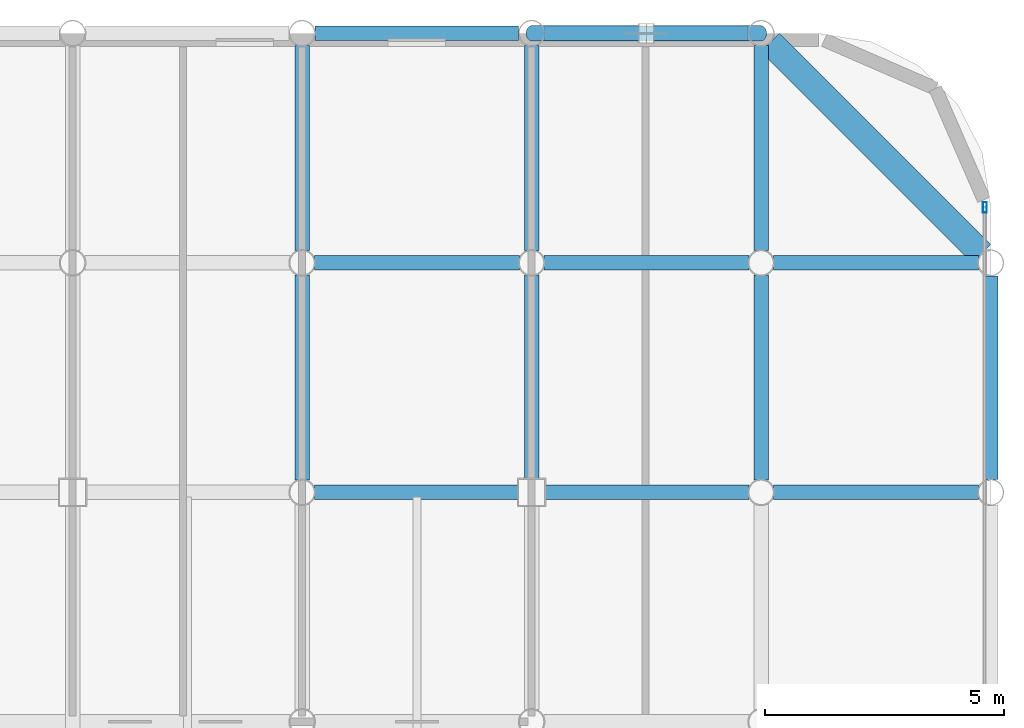
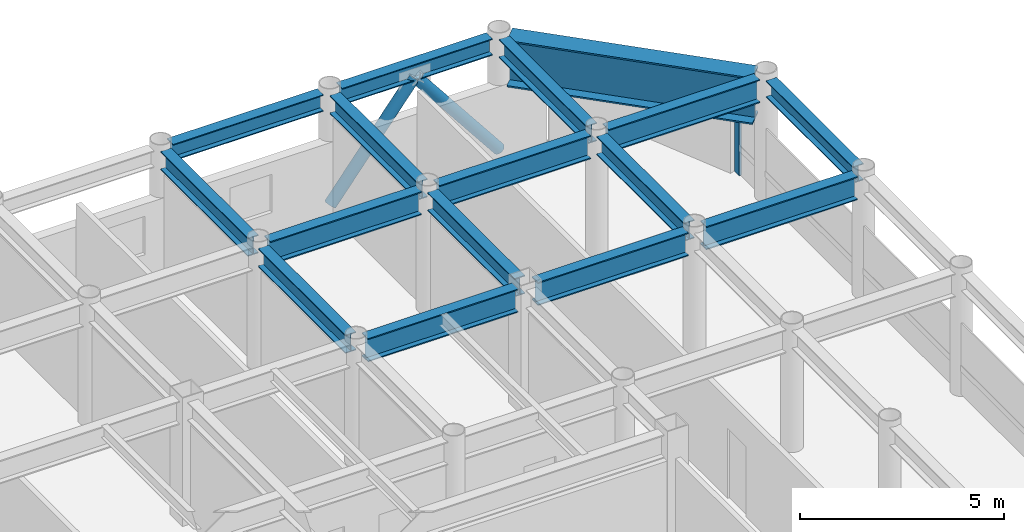
# One storey, part 16 of 22: 16 beams, 3 members, 1 element without a shape of its own.
"""IFC4 building model written with IfcOpenShell, lengths in metres."""

from ifc_helpers import new_model, si_unit, direction, frame, origin, origin_2d, place, context, subcontext, project, spatial, hollow_rectangle, hollow_circle, i_section, extrude, material, layer, layer_set, material_profile, profile_set, type_object, element, aggregate, save


model = new_model("IFC4")

# Units and contexts
model_context = context("Model", 3, precision=1e-05, world=origin(), true_north=direction((0.0, 1.0)))
body_context = subcontext(model_context, "Body", "Model", "MODEL_VIEW")
ifc_project = project(units=[si_unit("LENGTHUNIT", "METRE"), si_unit("AREAUNIT", "SQUARE_METRE"), si_unit("VOLUMEUNIT", "CUBIC_METRE"), si_unit("PLANEANGLEUNIT", "RADIAN"), si_unit("MASSUNIT", "GRAM", prefix="KILO")], contexts=[model_context])

# Site, building, storey
site_placement = place(None, origin())
site = spatial("IfcSite", under=ifc_project, at=site_placement, CompositionType="ELEMENT")
building_placement = place(site_placement, origin())
building = spatial("IfcBuilding", under=site, at=building_placement, Name="Kallvorn Hotel Tower", CompositionType="ELEMENT")
storey_placement = place(building_placement, frame((0.0, 0.0, 241.550048828125)))
storey = spatial("IfcBuildingStorey", under=building, at=storey_placement, Name="L60", CompositionType="ELEMENT", Elevation=241.550048828125)

# Beams
ifc_material_1 = material(Name="Structural steel S355JR", Category="steel")
ifc_material_profile_1 = material_profile(ifc_material_1, i_section(OverallWidth=0.300048828125, OverallDepth=0.5, WebThickness=0.014404296875, FlangeThickness=0.028076171875, at=origin_2d()), Name="HE 500 B")
ifc_profile_set_1 = profile_set([ifc_material_profile_1], Name="Structural steel S355JR")
beam_type_1 = type_object("IfcBeamType", Name="BM_HE500B", PredefinedType="SPANDREL", material=ifc_profile_set_1)
for number, where, z_axis, x_axis, name in (
    (1, (19.469482421875, 24.0, 3.419921875), (1.0, 0.0, 0.0), (0.0, 1.0, 0.0), "L61 Perimeter Spandrel 172"),
    (2, (24.26953125, 24.0, 3.419921875), (1.0, 0.0, 0.0), (0.0, 1.0, 0.0), "L61 Perimeter Spandrel 173"),
    (3, (33.60009765625, 14.66943359375, 3.419921875), (0.0, 1.0, 0.0), (-1.0, 0.0, 0.0), "L61 Perimeter Spandrel 188"),
):
    element("IfcBeam", number, at=place(storey_placement, frame(where, z_axis=z_axis, x_axis=x_axis)), inside=storey, type_object=beam_type_1, Name=name, PredefinedType="SPANDREL", context=body_context, shape_type="SweptSolid", body=[
        extrude(i_section(OverallWidth=0.300048828125, OverallDepth=0.5, WebThickness=0.014404296875, FlangeThickness=0.028076171875, at=origin_2d()), origin(), (0.0, 0.0, 1.0), 4.260986328125),
    ])
ifc_material_2 = material(Name="Structural steel S355JR", Category="steel")
ifc_material_profile_2 = material_profile(ifc_material_2, i_section(OverallWidth=0.300048828125, OverallDepth=0.550048828125, WebThickness=0.014892578125, FlangeThickness=0.029052734375, at=origin_2d()), Name="HE 550 B")
ifc_profile_set_2 = profile_set([ifc_material_profile_2], Name="Structural steel S355JR")
beam_type_2 = type_object("IfcBeamType", Name="BM_HE550B", PredefinedType="SPANDREL", material=ifc_profile_set_2)
for number, where, z_axis, x_axis, name in (
    (4, (19.199951171875, 14.654541015625, 3.39501953125), (0.0, 1.0, 0.0), (-1.0, 0.0, 0.0), "L61 Primary Y-Girder 133"),
    (5, (19.199951171875, 19.45458984375, 3.39501953125), (0.0, 1.0, 0.0), (-1.0, 0.0, 0.0), "L61 Primary Y-Girder 134"),
):
    element("IfcBeam", number, at=place(storey_placement, frame(where, z_axis=z_axis, x_axis=x_axis)), inside=storey, type_object=beam_type_2, Name=name, PredefinedType="SPANDREL", context=body_context, shape_type="SweptSolid", body=[
        extrude(i_section(OverallWidth=0.300048828125, OverallDepth=0.550048828125, WebThickness=0.014892578125, FlangeThickness=0.029052734375, at=origin_2d()), origin(), (0.0, 0.0, 1.0), 4.291015625),
    ])
beam_1_placement = place(storey_placement, frame((24.0, 14.675048828125, 3.39501953125), z_axis=(0.0, 1.0, 0.0), x_axis=(-1.0, 0.0, 0.0)))
element("IfcBeam", 6, at=beam_1_placement, inside=storey, type_object=beam_type_2, Name="L61 Primary Y-Girder 140", PredefinedType="SPANDREL", context=body_context, shape_type="SweptSolid", body=[
    extrude(i_section(OverallWidth=0.300048828125, OverallDepth=0.550048828125, WebThickness=0.014892578125, FlangeThickness=0.029052734375, at=origin_2d()), origin(), (0.0, 0.0, 1.0), 4.2705078125),
])
for number, where, z_axis, x_axis, name in (
    (7, (24.0, 19.45458984375, 3.39501953125), (0.0, 1.0, 0.0), (-1.0, 0.0, 0.0), "L61 Primary Y-Girder 141"),
    (8, (28.800048828125, 14.654541015625, 3.39501953125), (0.0, 1.0, 0.0), (-1.0, 0.0, 0.0), "L61 Primary Y-Girder 149"),
    (9, (28.800048828125, 19.45458984375, 3.39501953125), (0.0, 1.0, 0.0), (-1.0, 0.0, 0.0), "L61 Primary Y-Girder 150"),
):
    element("IfcBeam", number, at=place(storey_placement, frame(where, z_axis=z_axis, x_axis=x_axis)), inside=storey, type_object=beam_type_2, Name=name, PredefinedType="SPANDREL", context=body_context, shape_type="SweptSolid", body=[
        extrude(i_section(OverallWidth=0.300048828125, OverallDepth=0.550048828125, WebThickness=0.014892578125, FlangeThickness=0.029052734375, at=origin_2d()), origin(), (0.0, 0.0, 1.0), 4.291015625),
    ])
ifc_material_3 = material(Name="Structural steel S355JR", Category="steel")
ifc_material_profile_3 = material_profile(ifc_material_3, i_section(OverallWidth=0.300048828125, OverallDepth=0.699951171875, WebThickness=0.01708984375, FlangeThickness=0.031982421875, at=origin_2d()), Name="HE 700 B")
ifc_profile_set_3 = profile_set([ifc_material_profile_3], Name="Structural steel S355JR")
beam_type_3 = type_object("IfcBeamType", Name="BM_HE700B", PredefinedType="BEAM", material=ifc_profile_set_3)
for number, where, z_axis, x_axis, name in (
    (10, (19.45458984375, 14.39990234375, 3.320068359375), (1.0, 0.0, 0.0), (0.0, 1.0, 0.0), "L61 Primary X-Girder 57"),
    (11, (24.27490234375, 14.39990234375, 3.320068359375), (1.0, 0.0, 0.0), (0.0, 1.0, 0.0), "L61 Primary X-Girder 58"),
):
    element("IfcBeam", number, at=place(storey_placement, frame(where, z_axis=z_axis, x_axis=x_axis)), inside=storey, type_object=beam_type_3, Name=name, PredefinedType="BEAM", context=body_context, shape_type="SweptSolid", body=[
        extrude(i_section(OverallWidth=0.300048828125, OverallDepth=0.699951171875, WebThickness=0.01708984375, FlangeThickness=0.031982421875, at=origin_2d()), origin(), (0.0, 0.0, 1.0), 4.2705078125),
    ])
for number, where, z_axis, x_axis, name in (
    (12, (29.054443359375, 14.39990234375, 3.320068359375), (1.0, 0.0, 0.0), (0.0, 1.0, 0.0), "L61 Primary X-Girder 59"),
    (13, (19.45458984375, 19.199951171875, 3.320068359375), (1.0, 0.0, 0.0), (0.0, 1.0, 0.0), "L61 Primary X-Girder 70"),
    (14, (24.25439453125, 19.199951171875, 3.320068359375), (1.0, 0.0, 0.0), (0.0, 1.0, 0.0), "L61 Primary X-Girder 71"),
    (15, (29.054443359375, 19.199951171875, 3.320068359375), (1.0, 0.0, 0.0), (0.0, 1.0, 0.0), "L61 Primary X-Girder 72"),
):
    element("IfcBeam", number, at=place(storey_placement, frame(where, z_axis=z_axis, x_axis=x_axis)), inside=storey, type_object=beam_type_3, Name=name, PredefinedType="BEAM", context=body_context, shape_type="SweptSolid", body=[
        extrude(i_section(OverallWidth=0.300048828125, OverallDepth=0.699951171875, WebThickness=0.01708984375, FlangeThickness=0.031982421875, at=origin_2d()), origin(), (0.0, 0.0, 1.0), 4.291015625),
    ])
ifc_material_4 = material(Name="Structural steel S355JR", Category="steel")
ifc_material_profile_4 = material_profile(ifc_material_4, i_section(OverallWidth=0.550048828125, OverallDepth=1.39990234375, WebThickness=0.02490234375, FlangeThickness=0.044921875, at=origin_2d()), Name="PG 1400x550x25x45")
ifc_profile_set_4 = profile_set([ifc_material_profile_4], Name="Structural steel S355JR")
beam_type_4 = type_object("IfcBeamType", Name="BM_PG_1400", PredefinedType="BEAM", material=ifc_profile_set_4)
beam_2_placement = place(storey_placement, frame((33.409423828125, 19.390625, 2.969970703125), z_axis=(-0.707126314793, 0.707087247041, 0.0), x_axis=(-0.707087247041, -0.707126314793, 0.0)))
element("IfcBeam", 16, at=beam_2_placement, inside=storey, type_object=beam_type_4, Name="L61 Rounded Corner Tie Beam 191", PredefinedType="BEAM", context=body_context, shape_type="SweptSolid", body=[
    extrude(i_section(OverallWidth=0.550048828125, OverallDepth=1.39990234375, WebThickness=0.02490234375, FlangeThickness=0.044921875, at=origin_2d()), origin(), (0.0, 0.0, 1.0), 6.249267578125),
])

# Curtain wall, member
ifc_material_5 = material(Name="Thermally broken black-anodised aluminium AA 6063-T6", Category="aluminium")
ifc_layer = layer(ifc_material_5, 0.22998046875)
ifc_layer_set = layer_set([ifc_layer], Name="CW_SYS_5_HOTEL_HIGH")
curtain_wall_type = type_object("IfcCurtainWallType", Name="CW_SYS_5_HOTEL_HIGH", PredefinedType="USERDEFINED", material=ifc_layer_set)
curtain_wall_placement = place(storey_placement, origin())
curtain_wall = element("IfcCurtainWall", 17, at=curtain_wall_placement, inside=storey, type_object=curtain_wall_type, Name="L60 Dark-Glass Curtain Wall CW-L60-EN", ObjectType="UNITISED CURTAIN WALL", PredefinedType="USERDEFINED")
ifc_material_6 = material(Name="Thermally broken black-anodised aluminium AA 6063-T6", Category="aluminium")
ifc_material_profile_5 = material_profile(ifc_material_6, hollow_rectangle(XDim=0.080078125, YDim=0.219970703125, WallThickness=0.0048828125, at=origin_2d()), Name="MUL 220x80")
ifc_profile_set_5 = profile_set([ifc_material_profile_5], Name="Thermally broken black-anodised aluminium AA 6063-T6")
member_type_1 = type_object("IfcMemberType", Name="CW_MULLION_220x80", PredefinedType="MULLION", material=ifc_profile_set_5)
member_placement = place(storey_placement, frame((33.47998046875, 20.360107421875, 0.02001953125), z_axis=(0.0, 0.0, 1.0), x_axis=(1.0, 0.0, 0.0)))
member = element("IfcMember", 18, at=member_placement, type_object=member_type_1, Name="CW-L60-EN Mullion 01", PredefinedType="MULLION", context=body_context, shape_type="SweptSolid", body=[
    extrude(hollow_rectangle(XDim=0.080078125, YDim=0.219970703125, WallThickness=0.0048828125, at=origin_2d()), origin(), (0.0, 0.0, 1.0), 2.22998046875),
])
aggregate(curtain_wall, [member])

# Members
ifc_material_7 = material(Name="Structural steel S355J2H", Category="steel")
ifc_material_profile_6 = material_profile(ifc_material_7, hollow_circle(Radius=0.161865234375, WallThickness=0.012451171875, at=origin_2d()), Name="CHS 323.9x12.5")
ifc_profile_set_6 = profile_set([ifc_material_profile_6], Name="Structural steel S355J2H")
member_type_2 = type_object("IfcMemberType", Name="MBR_EXO_CHS323", PredefinedType="BRACE", material=ifc_profile_set_6)
for number, where, z_axis, x_axis, name in (
    (19, (24.012451171875, 24.0, 0.195556640625), (0.62089744796, 0.0, 0.783891803196), (0.0, 1.0, 0.0), "L60 Exoskeleton K-Brace N2A"),
    (20, (28.78759765625, 24.0, 0.195556640625), (-0.62089744796, 0.0, 0.783891803196), (0.0, -1.0, 0.0), "L60 Exoskeleton K-Brace N2B"),
):
    element("IfcMember", number, at=place(storey_placement, frame(where, z_axis=z_axis, x_axis=x_axis)), inside=storey, type_object=member_type_2, Name=name, PredefinedType="BRACE", context=body_context, shape_type="SweptSolid", body=[
        extrude(hollow_circle(Radius=0.161865234375, WallThickness=0.012451171875, at=origin_2d()), origin(), (0.0, 0.0, 1.0), 3.825439453125),
    ])

save(model, "model.ifc")
